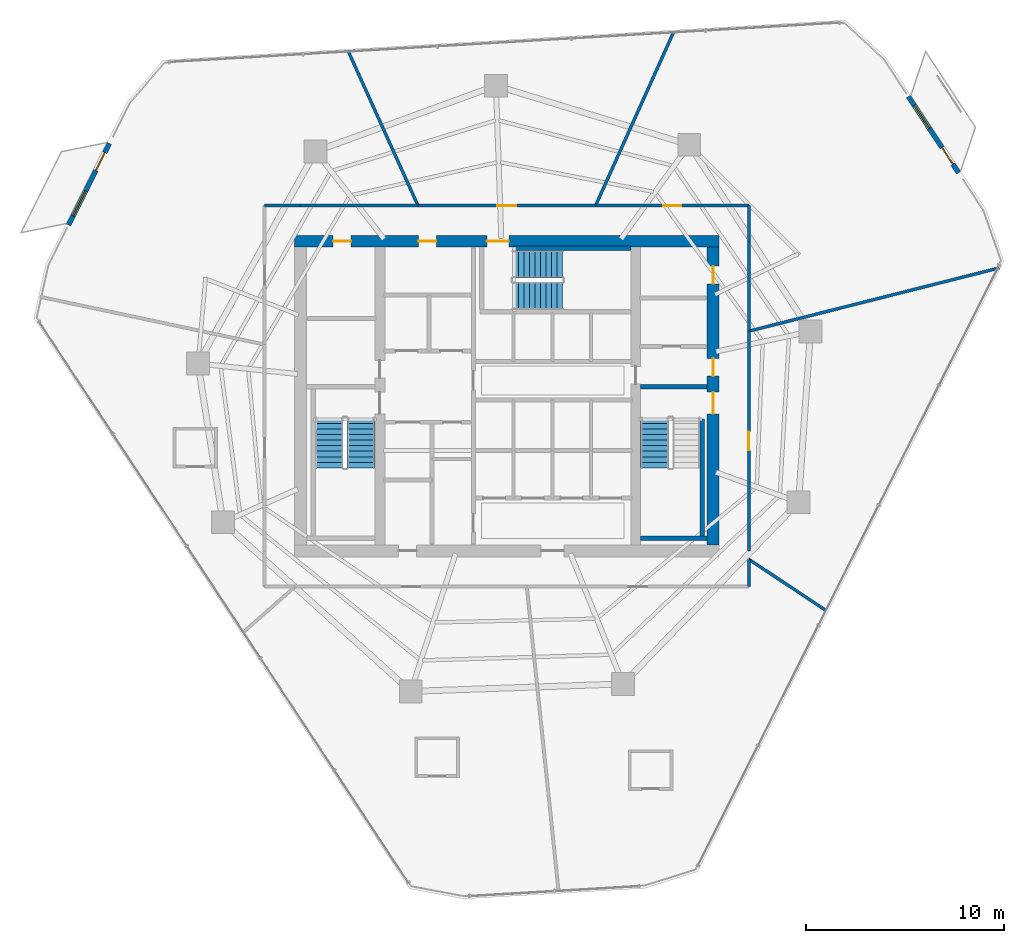
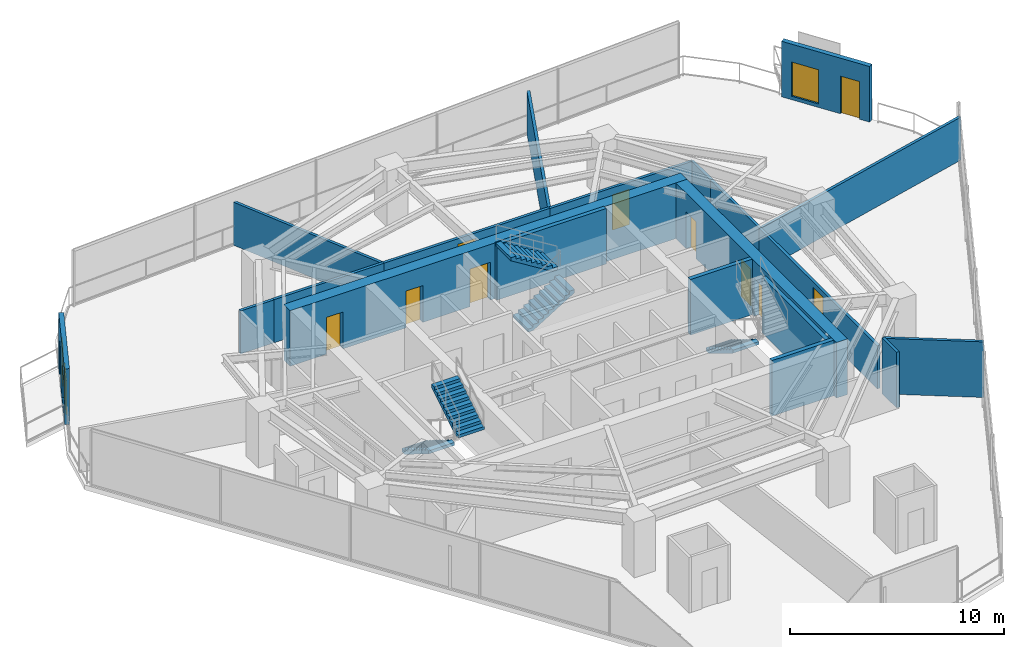
# One storey, part 26 of 30: 20 walls, 11 doors, 5 stair flights, 2 windows, 13 openings, 3 elements without a shape of their own.
"""IFC4 building model written with IfcOpenShell, lengths in metres."""

from ifc_helpers import new_model, si_unit, direction, frame, frame_2d, origin, place, context, subcontext, project, spatial, polyline, rectangle, outline, extrude, material, layer, layer_set, type_object, element, fill, aggregate, save


model = new_model("IFC4")

# Units and contexts
model_context = context("Model", 3, precision=1e-05, world=origin(), true_north=direction((0.0, 1.0)))
body_context = subcontext(model_context, "Body", "Model", "MODEL_VIEW")
ifc_project = project(units=[si_unit("LENGTHUNIT", "METRE"), si_unit("AREAUNIT", "SQUARE_METRE"), si_unit("VOLUMEUNIT", "CUBIC_METRE"), si_unit("PLANEANGLEUNIT", "RADIAN"), si_unit("MASSUNIT", "GRAM", prefix="KILO")], contexts=[model_context])

# Site, building, storey
site_placement = place(None, origin())
site = spatial("IfcSite", under=ifc_project, at=site_placement, CompositionType="ELEMENT")
building_placement = place(site_placement, origin())
building = spatial("IfcBuilding", under=site, at=building_placement, Name="Qarnah Convention Tower", CompositionType="ELEMENT")
storey_placement = place(building_placement, frame((0.0, 0.0, 79.800048828125)))
storey = spatial("IfcBuildingStorey", under=building, at=storey_placement, Name="L20", CompositionType="ELEMENT", Elevation=79.800048828125)

# Wall, openings, doors
ifc_material_1 = material(Name="Concrete C60/75", Category="concrete")
ifc_layer_1 = layer(ifc_material_1, 0.60009765625)
ifc_layer_set_1 = layer_set([ifc_layer_1], Name="Concrete C60/75")
wall_type_1 = type_object("IfcWallType", Name="WL-CORE-600", PredefinedType="SHEAR", material=ifc_layer_set_1)
wall_1_placement = place(storey_placement, frame((26.5, 34.199951171875, 0.0), z_axis=(0.0, 0.0, 1.0), x_axis=(1.0, 0.0, 0.0)))
wall_1 = element("IfcWall", 1, at=wall_1_placement, inside=storey, type_object=wall_type_1, Name="L20 core north shear wall", PredefinedType="SHEAR", context=body_context, shape_type="SweptSolid", body=[
    extrude(rectangle(XDim=21.39990234375, YDim=0.60009765625, at=frame_2d((10.699951171875, 0.0))), origin(), (0.0, 0.0, 1.0), 3.169921875),
])
opening_1_placement = place(wall_1_placement, frame((9.699951171875, 0.0, 0.0)))
opening_1 = element("IfcOpeningElement", 2, at=opening_1_placement, cuts=wall_1, Name="Opening D-2003", PredefinedType="OPENING", context=body_context, shape_type="SweptSolid", body=[
    extrude(rectangle(XDim=1.10009765625, YDim=2.14990234375, at=frame_2d((0.550048828125, 1.074951171875))), frame((0.0, 0.31005859375, 0.0), z_axis=(0.0, -1.0, 0.0), x_axis=(1.0, 0.0, 0.0)), (0.0, 0.0, 1.0), 0.6201171875),
])
opening_2_placement = place(wall_1_placement, frame((1.949951171875, 0.0, 0.0)))
opening_2 = element("IfcOpeningElement", 3, at=opening_2_placement, cuts=wall_1, Name="Opening D-2009", PredefinedType="OPENING", context=body_context, shape_type="SweptSolid", body=[
    extrude(rectangle(XDim=0.89990234375, YDim=2.10009765625, at=frame_2d((0.449951171875, 1.050048828125))), frame((0.0, 0.31005859375, 0.0), z_axis=(0.0, -1.0, 0.0), x_axis=(1.0, 0.0, 0.0)), (0.0, 0.0, 1.0), 0.6201171875),
])
opening_3_placement = place(wall_1_placement, frame((6.25, 0.0, 0.0)))
opening_3 = element("IfcOpeningElement", 4, at=opening_3_placement, cuts=wall_1, Name="Opening D-2010", PredefinedType="OPENING", context=body_context, shape_type="SweptSolid", body=[
    extrude(rectangle(XDim=0.89990234375, YDim=2.10009765625, at=frame_2d((0.449951171875, 1.050048828125))), frame((0.0, 0.31005859375, 0.0), z_axis=(0.0, -1.0, 0.0), x_axis=(1.0, 0.0, 0.0)), (0.0, 0.0, 1.0), 0.6201171875),
])
ifc_material_2 = material(Name="Structural steel S355JR", Category="steel")
door_type_1 = type_object("IfcDoorType", Name="DT-RISER-900", OperationType="NOTDEFINED", PredefinedType="DOOR", material=ifc_material_2)
door_1_placement = place(opening_2_placement, origin())
door_1 = element("IfcDoor", 5, at=door_1_placement, inside=storey, type_object=door_type_1, Name="Door D-2009", OperationType="SINGLE_SWING_RIGHT", OverallHeight=2.10009765625, OverallWidth=0.89990234375, PredefinedType="DOOR", context=body_context, shape_type="SweptSolid", body=[
    extrude(rectangle(XDim=0.89990234375, YDim=2.10009765625, at=frame_2d((0.449951171875, 1.050048828125))), frame((0.0, 0.02490234375, 0.0), z_axis=(0.0, -1.0, 0.0), x_axis=(1.0, 0.0, 0.0)), (0.0, 0.0, 1.0), 0.050048828125),
])
fill(opening_2, door_1)
door_2_placement = place(opening_3_placement, origin())
door_2 = element("IfcDoor", 6, at=door_2_placement, inside=storey, type_object=door_type_1, Name="Door D-2010", OperationType="SINGLE_SWING_LEFT", OverallHeight=2.10009765625, OverallWidth=0.89990234375, PredefinedType="DOOR", context=body_context, shape_type="SweptSolid", body=[
    extrude(rectangle(XDim=0.89990234375, YDim=2.10009765625, at=frame_2d((0.449951171875, 1.050048828125))), frame((0.0, 0.02490234375, 0.0), z_axis=(0.0, -1.0, 0.0), x_axis=(1.0, 0.0, 0.0)), (0.0, 0.0, 1.0), 0.050048828125),
])
fill(opening_3, door_2)
door_type_2 = type_object("IfcDoorType", Name="DT-STAIR-1100", OperationType="NOTDEFINED", PredefinedType="DOOR", material=ifc_material_2)
door_3_placement = place(opening_1_placement, origin())
door_3 = element("IfcDoor", 7, at=door_3_placement, inside=storey, type_object=door_type_2, Name="Door D-2003", OperationType="SINGLE_SWING_RIGHT", OverallHeight=2.14990234375, OverallWidth=1.10009765625, PredefinedType="DOOR", context=body_context, shape_type="SweptSolid", body=[
    extrude(rectangle(XDim=1.10009765625, YDim=2.14990234375, at=frame_2d((0.550048828125, 1.074951171875))), frame((0.0, 0.02490234375, 0.0), z_axis=(0.0, -1.0, 0.0), x_axis=(1.0, 0.0, 0.0)), (0.0, 0.0, 1.0), 0.050048828125),
])
fill(opening_1, door_3)

wall_2_placement = place(storey_placement, frame((47.60009765625, 18.89990234375, 0.0), z_axis=(0.0, 0.0, 1.0), x_axis=(0.0, 1.0, 0.0)))
wall_2 = element("IfcWall", 8, at=wall_2_placement, inside=storey, type_object=wall_type_1, Name="L20 core east shear wall", PredefinedType="SHEAR", context=body_context, shape_type="SweptSolid", body=[
    extrude(rectangle(XDim=15.0, YDim=0.60009765625, at=frame_2d((7.5, 0.0))), origin(), (0.0, 0.0, 1.0), 3.169921875),
])
opening_4_placement = place(wall_2_placement, frame((6.60009765625, 0.0, 0.0)))
opening_4 = element("IfcOpeningElement", 9, at=opening_4_placement, cuts=wall_2, Name="Opening D-2002", PredefinedType="OPENING", context=body_context, shape_type="SweptSolid", body=[
    extrude(rectangle(XDim=1.10009765625, YDim=2.14990234375, at=frame_2d((0.550048828125, 1.074951171875))), frame((0.0, 0.31005859375, 0.0), z_axis=(0.0, -1.0, 0.0), x_axis=(1.0, 0.0, 0.0)), (0.0, 0.0, 1.0), 0.6201171875),
])
opening_5_placement = place(wall_2_placement, frame((8.5, 0.0, 0.0)))
opening_5 = element("IfcOpeningElement", 10, at=opening_5_placement, cuts=wall_2, Name="Opening D-2006", PredefinedType="OPENING", context=body_context, shape_type="SweptSolid", body=[
    extrude(rectangle(XDim=0.89990234375, YDim=2.10009765625, at=frame_2d((0.449951171875, 1.050048828125))), frame((0.0, 0.31005859375, 0.0), z_axis=(0.0, -1.0, 0.0), x_axis=(1.0, 0.0, 0.0)), (0.0, 0.0, 1.0), 0.6201171875),
])
opening_6_placement = place(wall_2_placement, frame((13.14990234375, 0.0, 0.0)))
opening_6 = element("IfcOpeningElement", 11, at=opening_6_placement, cuts=wall_2, Name="Opening D-2012", PredefinedType="OPENING", context=body_context, shape_type="SweptSolid", body=[
    extrude(rectangle(XDim=0.89990234375, YDim=2.10009765625, at=frame_2d((0.449951171875, 1.050048828125))), frame((0.0, 0.31005859375, 0.0), z_axis=(0.0, -1.0, 0.0), x_axis=(1.0, 0.0, 0.0)), (0.0, 0.0, 1.0), 0.6201171875),
])
door_4_placement = place(opening_5_placement, origin())
door_4 = element("IfcDoor", 12, at=door_4_placement, inside=storey, type_object=door_type_1, Name="Door D-2006", OperationType="SINGLE_SWING_LEFT", OverallHeight=2.10009765625, OverallWidth=0.89990234375, PredefinedType="DOOR", context=body_context, shape_type="SweptSolid", body=[
    extrude(rectangle(XDim=0.89990234375, YDim=2.10009765625, at=frame_2d((0.449951171875, 1.050048828125))), frame((0.0, 0.02490234375, 0.0), z_axis=(0.0, -1.0, 0.0), x_axis=(1.0, 0.0, 0.0)), (0.0, 0.0, 1.0), 0.050048828125),
])
fill(opening_5, door_4)
door_5_placement = place(opening_6_placement, origin())
door_5 = element("IfcDoor", 13, at=door_5_placement, inside=storey, type_object=door_type_1, Name="Door D-2012", OperationType="SINGLE_SWING_LEFT", OverallHeight=2.10009765625, OverallWidth=0.89990234375, PredefinedType="DOOR", context=body_context, shape_type="SweptSolid", body=[
    extrude(rectangle(XDim=0.89990234375, YDim=2.10009765625, at=frame_2d((0.449951171875, 1.050048828125))), frame((0.0, 0.02490234375, 0.0), z_axis=(0.0, -1.0, 0.0), x_axis=(1.0, 0.0, 0.0)), (0.0, 0.0, 1.0), 0.050048828125),
])
fill(opening_6, door_5)
door_6_placement = place(opening_4_placement, origin())
door_6 = element("IfcDoor", 14, at=door_6_placement, inside=storey, type_object=door_type_2, Name="Door D-2002", OperationType="SINGLE_SWING_LEFT", OverallHeight=2.14990234375, OverallWidth=1.10009765625, PredefinedType="DOOR", context=body_context, shape_type="SweptSolid", body=[
    extrude(rectangle(XDim=1.10009765625, YDim=2.14990234375, at=frame_2d((0.550048828125, 1.074951171875))), frame((0.0, 0.02490234375, 0.0), z_axis=(0.0, -1.0, 0.0), x_axis=(1.0, 0.0, 0.0)), (0.0, 0.0, 1.0), 0.050048828125),
])
fill(opening_4, door_6)

# Walls
ifc_layer_2 = layer(ifc_material_1, 0.219970703125)
ifc_layer_set_2 = layer_set([ifc_layer_2], Name="Concrete C60/75")
wall_type_2 = type_object("IfcWallType", Name="WL-CORE-STAIR-220", PredefinedType="SHEAR", material=ifc_layer_set_2)
wall_3_placement = place(storey_placement, frame((43.949951171875, 26.860107421875, 0.0), z_axis=(0.0, 0.0, 1.0), x_axis=(1.0, 0.0, 0.0)))
element("IfcWall", 15, at=wall_3_placement, inside=storey, type_object=wall_type_2, Name="L20 stair shaft shear wall SW-L20-ST2N", PredefinedType="SHEAR", context=body_context, shape_type="SweptSolid", body=[
    extrude(rectangle(XDim=3.35009765625, YDim=0.219970703125, at=frame_2d((1.675048828125, 0.0))), origin(), (0.0, 0.0, 1.0), 3.169921875),
])
wall_4_placement = place(storey_placement, frame((47.06005859375, 19.35009765625, 0.0), z_axis=(0.0, 0.0, 1.0), x_axis=(0.0, 1.0, 0.0)))
element("IfcWall", 16, at=wall_4_placement, inside=storey, type_object=wall_type_2, Name="L20 stair shaft shear wall SW-L20-ST2E", PredefinedType="SHEAR", context=body_context, shape_type="SweptSolid", body=[
    extrude(rectangle(XDim=5.89990234375, YDim=0.219970703125, at=frame_2d((2.949951171875, 0.0))), origin(), (0.0, 0.0, 1.0), 3.169921875),
])
wall_5_placement = place(storey_placement, frame((43.949951171875, 19.239990234375, 0.0), z_axis=(0.0, 0.0, 1.0), x_axis=(1.0, 0.0, 0.0)))
element("IfcWall", 17, at=wall_5_placement, inside=storey, type_object=wall_type_2, Name="L20 stair shaft shear wall SW-L20-ST2S", PredefinedType="SHEAR", context=body_context, shape_type="SweptSolid", body=[
    extrude(rectangle(XDim=3.35009765625, YDim=0.219970703125, at=frame_2d((1.675048828125, 0.0))), origin(), (0.0, 0.0, 1.0), 3.169921875),
])
wall_6_placement = place(storey_placement, frame((37.550048828125, 33.840087890625, 0.0), z_axis=(0.0, 0.0, 1.0), x_axis=(1.0, 0.0, 0.0)))
element("IfcWall", 18, at=wall_6_placement, inside=storey, type_object=wall_type_2, Name="L20 stair shaft shear wall SW-L20-ST3N", PredefinedType="SHEAR", context=body_context, shape_type="SweptSolid", body=[
    extrude(rectangle(XDim=5.89990234375, YDim=0.219970703125, at=frame_2d((2.949951171875, 0.0))), origin(), (0.0, 0.0, 1.0), 3.169921875),
])

# Wall, openings, door, window
ifc_material_3 = material(Name="Precast concrete C45/55", Category="concrete")
ifc_layer_3 = layer(ifc_material_3, 0.239990234375)
ifc_layer_set_3 = layer_set([ifc_layer_3], Name="Precast concrete C45/55")
wall_type_3 = type_object("IfcWallType", Name="WL-EXT-BAL-240", PredefinedType="SOLIDWALL", material=ifc_layer_set_3)
wall_7_placement = place(storey_placement, frame((57.44091796875, 41.493896484375, 0.0), z_axis=(0.0, 0.0, 1.0), x_axis=(0.550000501485, -0.83516432417, 0.0)))
wall_7 = element("IfcWall", 19, at=wall_7_placement, inside=storey, type_object=wall_type_3, Name="L20 loggia threshold wall BAL-L20-C1", PredefinedType="SOLIDWALL", context=body_context, shape_type="SweptSolid", body=[
    extrude(rectangle(XDim=4.60009765625, YDim=0.239990234375, at=frame_2d((2.300048828125, 0.0))), origin(), (0.0, 0.0, 1.0), 3.169921875),
])
opening_7_placement = place(wall_7_placement, frame((3.080078125, 0.0, 0.0)))
opening_7 = element("IfcOpeningElement", 20, at=opening_7_placement, cuts=wall_7, Name="Opening BD-2001", PredefinedType="OPENING", context=body_context, shape_type="SweptSolid", body=[
    extrude(rectangle(XDim=1.0, YDim=2.14990234375, at=frame_2d((0.5, 1.074951171875))), frame((0.0, 0.1298828125, 0.0), z_axis=(0.0, -1.0, 0.0), x_axis=(1.0, 0.0, 0.0)), (0.0, 0.0, 1.0), 0.260009765625),
])
opening_8_placement = place(wall_7_placement, frame((0.52001953125, 0.0, 0.199951171875)))
opening_8 = element("IfcOpeningElement", 21, at=opening_8_placement, cuts=wall_7, Name="Opening WN4", PredefinedType="OPENING", context=body_context, shape_type="SweptSolid", body=[
    extrude(rectangle(XDim=1.39990234375, YDim=1.949951171875, at=frame_2d((0.699951171875, 0.97509765625))), frame((0.0, 0.1298828125, 0.0), z_axis=(0.0, -1.0, 0.0), x_axis=(1.0, 0.0, 0.0)), (0.0, 0.0, 1.0), 0.260009765625),
])
ifc_material_4 = material(Name="Black anodised aluminium", Category="aluminium")
door_type_3 = type_object("IfcDoorType", Name="DT-BAL-1000", OperationType="NOTDEFINED", PredefinedType="DOOR", material=ifc_material_4)
door_7_placement = place(opening_7_placement, origin())
door_7 = element("IfcDoor", 22, at=door_7_placement, inside=storey, type_object=door_type_3, Name="L20 balcony terrace door BAL-L20-C1", OperationType="SINGLE_SWING_LEFT", OverallHeight=2.14990234375, OverallWidth=1.0, PredefinedType="DOOR", context=body_context, shape_type="SweptSolid", body=[
    extrude(rectangle(XDim=1.0, YDim=2.14990234375, at=frame_2d((0.5, 1.074951171875))), frame((0.0, 0.02490234375, 0.0), z_axis=(0.0, -1.0, 0.0), x_axis=(1.0, 0.0, 0.0)), (0.0, 0.0, 1.0), 0.050048828125),
])
fill(opening_7, door_7)
ifc_material_5 = material(Name="Tempered Low-E dark glass", Category="glass")
window_type = type_object("IfcWindowType", Name="WT-BAL-1400X2000", PartitioningType="SINGLE_PANEL", PredefinedType="WINDOW", material=ifc_material_5)
window_1_placement = place(opening_8_placement, origin())
window_1 = element("IfcWindow", 23, at=window_1_placement, inside=storey, type_object=window_type, Name="Window BW-BAL-L20-C1", OverallHeight=1.949951171875, OverallWidth=1.39990234375, PartitioningType="SINGLE_PANEL", PredefinedType="WINDOW", context=body_context, shape_type="SweptSolid", body=[
    extrude(rectangle(XDim=1.39990234375, YDim=1.949951171875, at=frame_2d((0.699951171875, 0.97509765625))), frame((0.0, 0.030029296875, 0.0), z_axis=(0.0, -1.0, 0.0), x_axis=(1.0, 0.0, 0.0)), (0.0, 0.0, 1.0), 0.06005859375),
])
fill(opening_8, window_1)

wall_8_placement = place(storey_placement, frame((15.110107421875, 35.01806640625, 0.0), z_axis=(0.0, 0.0, 1.0), x_axis=(0.448274788455, 0.893895807147, 0.0)))
wall_8 = element("IfcWall", 24, at=wall_8_placement, inside=storey, type_object=wall_type_3, Name="L20 loggia threshold wall BAL-L20-C2", PredefinedType="SOLIDWALL", context=body_context, shape_type="SweptSolid", body=[
    extrude(rectangle(XDim=4.599853515625, YDim=0.239990234375, at=frame_2d((2.2998046875, 0.0))), origin(), (0.0, 0.0, 1.0), 3.169921875),
])
opening_9_placement = place(wall_8_placement, frame((3.080078125, 0.0, 0.0)))
opening_9 = element("IfcOpeningElement", 25, at=opening_9_placement, cuts=wall_8, Name="Opening BD-2002", PredefinedType="OPENING", context=body_context, shape_type="SweptSolid", body=[
    extrude(rectangle(XDim=1.0, YDim=2.14990234375, at=frame_2d((0.5, 1.074951171875))), frame((0.0, 0.1298828125, 0.0), z_axis=(0.0, -1.0, 0.0), x_axis=(1.0, 0.0, 0.0)), (0.0, 0.0, 1.0), 0.260009765625),
])
opening_10_placement = place(wall_8_placement, frame((0.52001953125, 0.0, 0.199951171875)))
opening_10 = element("IfcOpeningElement", 26, at=opening_10_placement, cuts=wall_8, Name="Opening WN4", PredefinedType="OPENING", context=body_context, shape_type="SweptSolid", body=[
    extrude(rectangle(XDim=1.39990234375, YDim=1.949951171875, at=frame_2d((0.699951171875, 0.97509765625))), frame((0.0, 0.1298828125, 0.0), z_axis=(0.0, -1.0, 0.0), x_axis=(1.0, 0.0, 0.0)), (0.0, 0.0, 1.0), 0.260009765625),
])
door_8_placement = place(opening_9_placement, origin())
door_8 = element("IfcDoor", 27, at=door_8_placement, inside=storey, type_object=door_type_3, Name="L20 balcony terrace door BAL-L20-C2", OperationType="SINGLE_SWING_RIGHT", OverallHeight=2.14990234375, OverallWidth=1.0, PredefinedType="DOOR", context=body_context, shape_type="SweptSolid", body=[
    extrude(rectangle(XDim=1.0, YDim=2.14990234375, at=frame_2d((0.5, 1.074951171875))), frame((0.0, 0.02490234375, 0.0), z_axis=(0.0, -1.0, 0.0), x_axis=(1.0, 0.0, 0.0)), (0.0, 0.0, 1.0), 0.050048828125),
])
fill(opening_9, door_8)
window_2_placement = place(opening_10_placement, origin())
window_2 = element("IfcWindow", 28, at=window_2_placement, inside=storey, type_object=window_type, Name="Window BW-BAL-L20-C2", OverallHeight=1.949951171875, OverallWidth=1.39990234375, PartitioningType="SINGLE_PANEL", PredefinedType="WINDOW", context=body_context, shape_type="SweptSolid", body=[
    extrude(rectangle(XDim=1.39990234375, YDim=1.949951171875, at=frame_2d((0.699951171875, 0.97509765625))), frame((0.0, 0.030029296875, 0.0), z_axis=(0.0, -1.0, 0.0), x_axis=(1.0, 0.0, 0.0)), (0.0, 0.0, 1.0), 0.06005859375),
])
fill(opening_10, window_2)

# Wall
ifc_material_6 = material(Name="Gypsum partition board")
ifc_layer_4 = layer(ifc_material_6, 0.14990234375)
ifc_layer_set_4 = layer_set([ifc_layer_4], Name="Gypsum partition board")
wall_type_4 = type_object("IfcWallType", Name="WL-SUITE-150", PredefinedType="PARTITIONING", material=ifc_layer_set_4)
wall_9_placement = place(storey_placement, frame((45.6220703125, 44.77490234375, 0.0), z_axis=(0.0, 0.0, 1.0), x_axis=(-0.410050223095, -0.912062944396, 0.0)))
element("IfcWall", 29, at=wall_9_placement, inside=storey, type_object=wall_type_4, Name="L20 interior wall IW-L20-R-13", PredefinedType="PARTITIONING", context=body_context, shape_type="SweptSolid", body=[
    extrude(rectangle(XDim=9.620849609375, YDim=0.14990234375, at=frame_2d((4.810546875, 0.0))), origin(), (0.0, 0.0, 1.0), 2.454833984375),
])

# Wall, opening, door
wall_10_placement = place(storey_placement, frame((41.677001953125, 36.0, 0.0), z_axis=(0.0, 0.0, 1.0), x_axis=(1.0, 0.0, 0.0)))
wall_10 = element("IfcWall", 30, at=wall_10_placement, inside=storey, type_object=wall_type_4, Name="L20 interior wall IW-L20-R-14", PredefinedType="PARTITIONING", context=body_context, shape_type="SweptSolid", body=[
    extrude(rectangle(XDim=7.722900390625, YDim=0.14990234375, at=frame_2d((3.861328125, 0.0))), origin(), (0.0, 0.0, 1.0), 2.454833984375),
])
opening_11_placement = place(wall_10_placement, frame((3.410888671875, 0.0, 0.0)))
opening_11 = element("IfcOpeningElement", 31, at=opening_11_placement, cuts=wall_10, Name="Opening D-2016", PredefinedType="OPENING", context=body_context, shape_type="SweptSolid", body=[
    extrude(rectangle(XDim=0.89990234375, YDim=2.0, at=frame_2d((0.449951171875, 1.0))), frame((0.0, 0.0849609375, 0.0), z_axis=(0.0, -1.0, 0.0), x_axis=(1.0, 0.0, 0.0)), (0.0, 0.0, 1.0), 0.169921875),
])
door_type_4 = type_object("IfcDoorType", Name="DT-PLANT-900", OperationType="NOTDEFINED", PredefinedType="DOOR", material=ifc_material_2)
door_9_placement = place(opening_11_placement, origin())
door_9 = element("IfcDoor", 32, at=door_9_placement, inside=storey, type_object=door_type_4, Name="Door D-2016", OperationType="SINGLE_SWING_LEFT", OverallHeight=2.0, OverallWidth=0.89990234375, PredefinedType="DOOR", context=body_context, shape_type="SweptSolid", body=[
    extrude(rectangle(XDim=0.89990234375, YDim=2.0, at=frame_2d((0.449951171875, 1.0))), frame((0.0, 0.02490234375, 0.0), z_axis=(0.0, -1.0, 0.0), x_axis=(1.0, 0.0, 0.0)), (0.0, 0.0, 1.0), 0.050048828125),
])
fill(opening_11, door_9)

# Walls
wall_11_placement = place(storey_placement, frame((49.39990234375, 36.0, 0.0), z_axis=(0.0, 0.0, 1.0), x_axis=(0.0, -1.0, 0.0)))
element("IfcWall", 33, at=wall_11_placement, inside=storey, type_object=wall_type_4, Name="L20 interior wall IW-L20-R-15", PredefinedType="PARTITIONING", context=body_context, shape_type="SweptSolid", body=[
    extrude(rectangle(XDim=1.800048828125, YDim=0.14990234375, at=frame_2d((0.89990234375, 0.0))), origin(), (0.0, 0.0, 1.0), 2.454833984375),
])
wall_12_placement = place(storey_placement, frame((49.39990234375, 34.199951171875, 0.0), z_axis=(0.0, 0.0, 1.0), x_axis=(0.0, -1.0, 0.0)))
element("IfcWall", 34, at=wall_12_placement, inside=storey, type_object=wall_type_4, Name="L20 interior wall IW-L20-R-16", PredefinedType="PARTITIONING", context=body_context, shape_type="SweptSolid", body=[
    extrude(rectangle(XDim=4.531005859375, YDim=0.14990234375, at=frame_2d((2.265625, 0.0))), origin(), (0.0, 0.0, 1.0), 2.454833984375),
])
wall_13_placement = place(storey_placement, frame((49.39990234375, 29.6689453125, 0.0), z_axis=(0.0, 0.0, 1.0), x_axis=(0.969530283496, 0.244971486879, 0.0)))
element("IfcWall", 35, at=wall_13_placement, inside=storey, type_object=wall_type_4, Name="L20 interior wall IW-L20-R-17", PredefinedType="PARTITIONING", context=body_context, shape_type="SweptSolid", body=[
    extrude(rectangle(XDim=13.013671875, YDim=0.14990234375, at=frame_2d((6.5068359375, 0.0))), origin(), (0.0, 0.0, 1.0), 2.454833984375),
])
wall_14_placement = place(storey_placement, frame((29.197021484375, 43.806884765625, 0.0), z_axis=(0.0, 0.0, 1.0), x_axis=(0.411605049409, -0.911362322735, 0.0)))
element("IfcWall", 36, at=wall_14_placement, inside=storey, type_object=wall_type_4, Name="L20 interior wall IW-L20-R-18", PredefinedType="PARTITIONING", context=body_context, shape_type="SweptSolid", body=[
    extrude(rectangle(XDim=8.566162109375, YDim=0.14990234375, at=frame_2d((4.283203125, 0.0))), origin(), (0.0, 0.0, 1.0), 2.454833984375),
])

# Wall, opening, door
wall_15_placement = place(storey_placement, frame((32.722900390625, 36.0, 0.0), z_axis=(0.0, 0.0, 1.0), x_axis=(1.0, 0.0, 0.0)))
wall_15 = element("IfcWall", 37, at=wall_15_placement, inside=storey, type_object=wall_type_4, Name="L20 interior wall IW-L20-R-19", PredefinedType="PARTITIONING", context=body_context, shape_type="SweptSolid", body=[
    extrude(rectangle(XDim=8.9541015625, YDim=0.14990234375, at=frame_2d((4.47705078125, 0.0))), origin(), (0.0, 0.0, 1.0), 2.467041015625),
])
opening_12_placement = place(wall_15_placement, frame((4.001953125, 0.0, 0.0)))
opening_12 = element("IfcOpeningElement", 38, at=opening_12_placement, cuts=wall_15, Name="Opening D-2017", PredefinedType="OPENING", context=body_context, shape_type="SweptSolid", body=[
    extrude(rectangle(XDim=0.949951171875, YDim=2.14990234375, at=frame_2d((0.47509765625, 1.074951171875))), frame((0.0, 0.0849609375, 0.0), z_axis=(0.0, -1.0, 0.0), x_axis=(1.0, 0.0, 0.0)), (0.0, 0.0, 1.0), 0.169921875),
])
ifc_material_7 = material(Name="Oak timber veneer", Category="wood")
door_type_5 = type_object("IfcDoorType", Name="DT-HOTEL-950", OperationType="NOTDEFINED", PredefinedType="DOOR", material=ifc_material_7)
door_10_placement = place(opening_12_placement, origin())
door_10 = element("IfcDoor", 39, at=door_10_placement, inside=storey, type_object=door_type_5, Name="Door D-2017", OperationType="SINGLE_SWING_RIGHT", OverallHeight=2.14990234375, OverallWidth=0.949951171875, PredefinedType="DOOR", context=body_context, shape_type="SweptSolid", body=[
    extrude(rectangle(XDim=0.949951171875, YDim=2.14990234375, at=frame_2d((0.47509765625, 1.074951171875))), frame((0.0, 0.02490234375, 0.0), z_axis=(0.0, -1.0, 0.0), x_axis=(1.0, 0.0, 0.0)), (0.0, 0.0, 1.0), 0.050048828125),
])
fill(opening_12, door_10)

# Walls
wall_16_placement = place(storey_placement, frame((25.0, 36.0, 0.0), z_axis=(0.0, 0.0, 1.0), x_axis=(1.0, 0.0, 0.0)))
element("IfcWall", 40, at=wall_16_placement, inside=storey, type_object=wall_type_4, Name="L20 interior wall IW-L20-R-22", PredefinedType="PARTITIONING", context=body_context, shape_type="SweptSolid", body=[
    extrude(rectangle(XDim=1.800048828125, YDim=0.14990234375, at=frame_2d((0.89990234375, 0.0))), origin(), (0.0, 0.0, 1.0), 2.454833984375),
])
wall_17_placement = place(storey_placement, frame((26.800048828125, 36.0, 0.0), z_axis=(0.0, 0.0, 1.0), x_axis=(1.0, 0.0, 0.0)))
element("IfcWall", 41, at=wall_17_placement, inside=storey, type_object=wall_type_4, Name="L20 interior wall IW-L20-R-23", PredefinedType="PARTITIONING", context=body_context, shape_type="SweptSolid", body=[
    extrude(rectangle(XDim=5.9228515625, YDim=0.14990234375, at=frame_2d((2.96142578125, 0.0))), origin(), (0.0, 0.0, 1.0), 2.467041015625),
])
wall_18_placement = place(storey_placement, frame((53.322021484375, 15.568115234375, 0.0), z_axis=(0.0, 0.0, 1.0), x_axis=(-0.833221395331, 0.5529395142, 0.0)))
element("IfcWall", 42, at=wall_18_placement, inside=storey, type_object=wall_type_4, Name="L20 interior wall IW-L20-R-30", PredefinedType="PARTITIONING", context=body_context, shape_type="SweptSolid", body=[
    extrude(rectangle(XDim=4.707275390625, YDim=0.14990234375, at=frame_2d((2.353515625, 0.0))), origin(), (0.0, 0.0, 1.0), 3.169921875),
])
wall_19_placement = place(storey_placement, frame((49.39990234375, 18.1708984375, 0.0), z_axis=(0.0, 0.0, 1.0), x_axis=(0.0, -1.0, 0.0)))
element("IfcWall", 43, at=wall_19_placement, inside=storey, type_object=wall_type_4, Name="L20 interior wall IW-L20-R-31", PredefinedType="PARTITIONING", context=body_context, shape_type="SweptSolid", body=[
    extrude(rectangle(XDim=1.370849609375, YDim=0.14990234375, at=frame_2d((0.685546875, 0.0))), origin(), (0.0, 0.0, 1.0), 3.169921875),
])

# Wall, opening, door
wall_20_placement = place(storey_placement, frame((49.39990234375, 29.6689453125, 0.0), z_axis=(0.0, 0.0, 1.0), x_axis=(0.0, -1.0, 0.0)))
wall_20 = element("IfcWall", 44, at=wall_20_placement, inside=storey, type_object=wall_type_4, Name="L20 interior wall IW-L20-R-33", PredefinedType="PARTITIONING", context=body_context, shape_type="SweptSolid", body=[
    extrude(rectangle(XDim=11.06884765625, YDim=0.14990234375, at=frame_2d((5.534423828125, 0.0))), origin(), (0.0, 0.0, 1.0), 2.454833984375),
])
opening_13_placement = place(wall_20_placement, frame((5.06005859375, 0.0, 0.0)))
opening_13 = element("IfcOpeningElement", 45, at=opening_13_placement, cuts=wall_20, Name="Opening D-2025", PredefinedType="OPENING", context=body_context, shape_type="SweptSolid", body=[
    extrude(rectangle(XDim=0.949951171875, YDim=2.14990234375, at=frame_2d((0.47509765625, 1.074951171875))), frame((0.0, 0.0849609375, 0.0), z_axis=(0.0, -1.0, 0.0), x_axis=(1.0, 0.0, 0.0)), (0.0, 0.0, 1.0), 0.169921875),
])
door_11_placement = place(opening_13_placement, origin())
door_11 = element("IfcDoor", 46, at=door_11_placement, inside=storey, type_object=door_type_5, Name="Door D-2025", OperationType="SINGLE_SWING_RIGHT", OverallHeight=2.14990234375, OverallWidth=0.949951171875, PredefinedType="DOOR", context=body_context, shape_type="SweptSolid", body=[
    extrude(rectangle(XDim=0.949951171875, YDim=2.14990234375, at=frame_2d((0.47509765625, 1.074951171875))), frame((0.0, 0.02490234375, 0.0), z_axis=(0.0, -1.0, 0.0), x_axis=(1.0, 0.0, 0.0)), (0.0, 0.0, 1.0), 0.050048828125),
])
fill(opening_13, door_11)

# Stair, stair flights
ifc_material_8 = material(Name="Concrete C50/60", Category="concrete")
stair_type = type_object("IfcStairType", Name="STR-HTL", PredefinedType="HALF_TURN_STAIR", material=ifc_material_8)
stair_1_placement = place(storey_placement, origin())
stair_1 = element("IfcStair", 47, at=stair_1_placement, inside=storey, type_object=stair_type, Name="L20 Core exit stair ST-1", PredefinedType="HALF_TURN_STAIR")
stair_flight_type = type_object("IfcStairFlightType", Name="FLT-HTL", PredefinedType="STRAIGHT", material=ifc_material_8)
stair_flight_1_placement = place(storey_placement, frame((28.25, 25.300048828125, 0.0), z_axis=(0.0, 0.0, 1.0), x_axis=(0.0, -1.0, 0.0)))
stair_flight_1 = element("IfcStairFlight", 48, at=stair_flight_1_placement, type_object=stair_flight_type, Name="ST-1 flight 1", NumberOfRisers=10, NumberOfTreads=9, PredefinedType="STRAIGHT", RiserHeight=0.1725, TreadLength=0.28, context=body_context, shape_type="SweptSolid", body=[
    extrude(outline(polyline([(0.0, 0.0), (0.0, 0.172607421875), (0.280029296875, 0.172607421875), (0.280029296875, 0.344970703125), (0.56005859375, 0.344970703125), (0.56005859375, 0.517578125), (0.840087890625, 0.517578125), (0.840087890625, 0.68994140625), (1.1201171875, 0.68994140625), (1.1201171875, 0.862548828125), (1.39990234375, 0.862548828125), (1.39990234375, 1.034912109375), (1.679931640625, 1.034912109375), (1.679931640625, 1.20751953125), (1.9599609375, 1.20751953125), (1.9599609375, 1.3798828125), (2.239990234375, 1.3798828125), (2.239990234375, 1.552490234375), (2.52001953125, 1.552490234375), (2.52001953125, 1.72509765625), (2.52001953125, 1.37646484375), (0.285888671875, 0.0), (0.0, 0.0)])), frame((0.0, 0.699951171875, 0.0), z_axis=(0.0, -1.0, 0.0), x_axis=(1.0, 0.0, 0.0)), (0.0, 0.0, 1.0), 1.39990234375),
])
stair_flight_2_placement = place(storey_placement, frame((29.85009765625, 22.780029296875, 1.724853515625), z_axis=(0.0, 0.0, 1.0), x_axis=(0.0, 1.0, 0.0)))
stair_flight_2 = element("IfcStairFlight", 49, at=stair_flight_2_placement, type_object=stair_flight_type, Name="ST-1 flight 2", NumberOfRisers=10, NumberOfTreads=9, PredefinedType="STRAIGHT", RiserHeight=0.1725, TreadLength=0.28, context=body_context, shape_type="SweptSolid", body=[
    extrude(outline(polyline([(0.0, 0.0), (0.0, 0.172607421875), (0.280029296875, 0.172607421875), (0.280029296875, 0.344970703125), (0.56005859375, 0.344970703125), (0.56005859375, 0.517578125), (0.840087890625, 0.517578125), (0.840087890625, 0.68994140625), (1.1201171875, 0.68994140625), (1.1201171875, 0.862548828125), (1.39990234375, 0.862548828125), (1.39990234375, 1.034912109375), (1.679931640625, 1.034912109375), (1.679931640625, 1.20751953125), (1.9599609375, 1.20751953125), (1.9599609375, 1.3798828125), (2.239990234375, 1.3798828125), (2.239990234375, 1.552490234375), (2.52001953125, 1.552490234375), (2.52001953125, 1.72509765625), (2.52001953125, 1.37646484375), (0.285888671875, 0.0), (0.0, 0.0)])), frame((0.0, 0.699951171875, 0.0), z_axis=(0.0, -1.0, 0.0), x_axis=(1.0, 0.0, 0.0)), (0.0, 0.0, 1.0), 1.39990234375),
])
aggregate(stair_1, [stair_flight_1, stair_flight_2])

# Stair, stair flight
stair_2_placement = place(storey_placement, origin())
stair_2 = element("IfcStair", 50, at=stair_2_placement, inside=storey, type_object=stair_type, Name="L20 Core exit stair ST-2", PredefinedType="HALF_TURN_STAIR")
stair_flight_3_placement = place(storey_placement, frame((44.64990234375, 25.300048828125, 0.0), z_axis=(0.0, 0.0, 1.0), x_axis=(0.0, -1.0, 0.0)))
stair_flight_3 = element("IfcStairFlight", 51, at=stair_flight_3_placement, type_object=stair_flight_type, Name="ST-2 flight 1", NumberOfRisers=10, NumberOfTreads=9, PredefinedType="STRAIGHT", RiserHeight=0.1725, TreadLength=0.28, context=body_context, shape_type="SweptSolid", body=[
    extrude(outline(polyline([(0.0, 0.0), (0.0, 0.172607421875), (0.280029296875, 0.172607421875), (0.280029296875, 0.344970703125), (0.56005859375, 0.344970703125), (0.56005859375, 0.517578125), (0.840087890625, 0.517578125), (0.840087890625, 0.68994140625), (1.1201171875, 0.68994140625), (1.1201171875, 0.862548828125), (1.39990234375, 0.862548828125), (1.39990234375, 1.034912109375), (1.679931640625, 1.034912109375), (1.679931640625, 1.20751953125), (1.9599609375, 1.20751953125), (1.9599609375, 1.3798828125), (2.239990234375, 1.3798828125), (2.239990234375, 1.552490234375), (2.52001953125, 1.552490234375), (2.52001953125, 1.72509765625), (2.52001953125, 1.37646484375), (0.285888671875, 0.0), (0.0, 0.0)])), frame((0.0, 0.699951171875, 0.0), z_axis=(0.0, -1.0, 0.0), x_axis=(1.0, 0.0, 0.0)), (0.0, 0.0, 1.0), 1.39990234375),
])
aggregate(stair_2, [stair_flight_3])

# Stair, stair flights
stair_3_placement = place(storey_placement, origin())
stair_3 = element("IfcStair", 52, at=stair_3_placement, inside=storey, type_object=stair_type, Name="L20 Core exit stair ST-3", PredefinedType="HALF_TURN_STAIR")
stair_flight_4_placement = place(storey_placement, frame((37.5, 31.449951171875, 0.0), z_axis=(0.0, 0.0, 1.0), x_axis=(1.0, 0.0, 0.0)))
stair_flight_4 = element("IfcStairFlight", 53, at=stair_flight_4_placement, type_object=stair_flight_type, Name="ST-3 flight 1", NumberOfRisers=10, NumberOfTreads=9, PredefinedType="STRAIGHT", RiserHeight=0.1725, TreadLength=0.28, context=body_context, shape_type="SweptSolid", body=[
    extrude(outline(polyline([(0.0, 0.0), (0.0, 0.172607421875), (0.280029296875, 0.172607421875), (0.280029296875, 0.344970703125), (0.56005859375, 0.344970703125), (0.56005859375, 0.517578125), (0.840087890625, 0.517578125), (0.840087890625, 0.68994140625), (1.1201171875, 0.68994140625), (1.1201171875, 0.862548828125), (1.39990234375, 0.862548828125), (1.39990234375, 1.034912109375), (1.679931640625, 1.034912109375), (1.679931640625, 1.20751953125), (1.9599609375, 1.20751953125), (1.9599609375, 1.3798828125), (2.239990234375, 1.3798828125), (2.239990234375, 1.552490234375), (2.52001953125, 1.552490234375), (2.52001953125, 1.72509765625), (2.52001953125, 1.37646484375), (0.285888671875, 0.0), (0.0, 0.0)])), frame((0.0, 0.699951171875, 0.0), z_axis=(0.0, -1.0, 0.0), x_axis=(1.0, 0.0, 0.0)), (0.0, 0.0, 1.0), 1.39990234375),
])
stair_flight_5_placement = place(storey_placement, frame((40.02001953125, 33.050048828125, 1.724853515625), z_axis=(0.0, 0.0, 1.0), x_axis=(-1.0, 0.0, 0.0)))
stair_flight_5 = element("IfcStairFlight", 54, at=stair_flight_5_placement, type_object=stair_flight_type, Name="ST-3 flight 2", NumberOfRisers=10, NumberOfTreads=9, PredefinedType="STRAIGHT", RiserHeight=0.1725, TreadLength=0.28, context=body_context, shape_type="SweptSolid", body=[
    extrude(outline(polyline([(0.0, 0.0), (0.0, 0.172607421875), (0.280029296875, 0.172607421875), (0.280029296875, 0.344970703125), (0.56005859375, 0.344970703125), (0.56005859375, 0.517578125), (0.840087890625, 0.517578125), (0.840087890625, 0.68994140625), (1.1201171875, 0.68994140625), (1.1201171875, 0.862548828125), (1.39990234375, 0.862548828125), (1.39990234375, 1.034912109375), (1.679931640625, 1.034912109375), (1.679931640625, 1.20751953125), (1.9599609375, 1.20751953125), (1.9599609375, 1.3798828125), (2.239990234375, 1.3798828125), (2.239990234375, 1.552490234375), (2.52001953125, 1.552490234375), (2.52001953125, 1.72509765625), (2.52001953125, 1.37646484375), (0.285888671875, 0.0), (0.0, 0.0)])), frame((0.0, 0.699951171875, 0.0), z_axis=(0.0, -1.0, 0.0), x_axis=(1.0, 0.0, 0.0)), (0.0, 0.0, 1.0), 1.39990234375),
])
aggregate(stair_3, [stair_flight_4, stair_flight_5])

save(model, "model.ifc")
